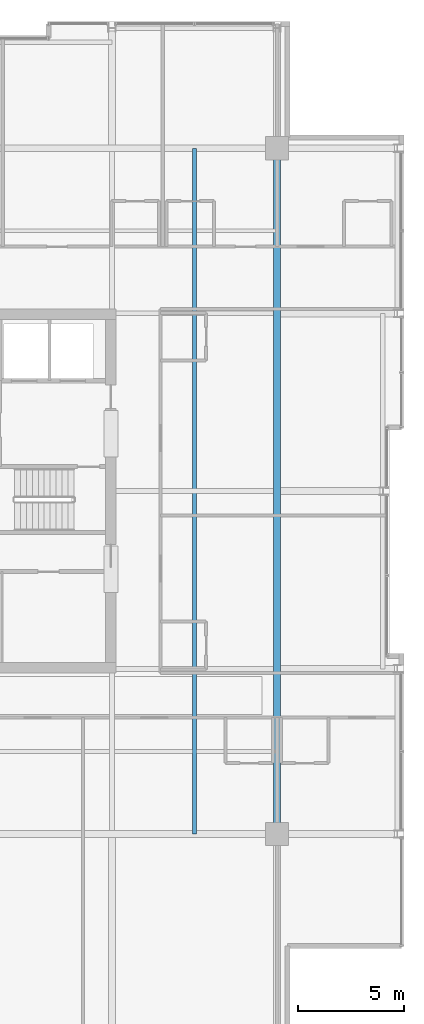
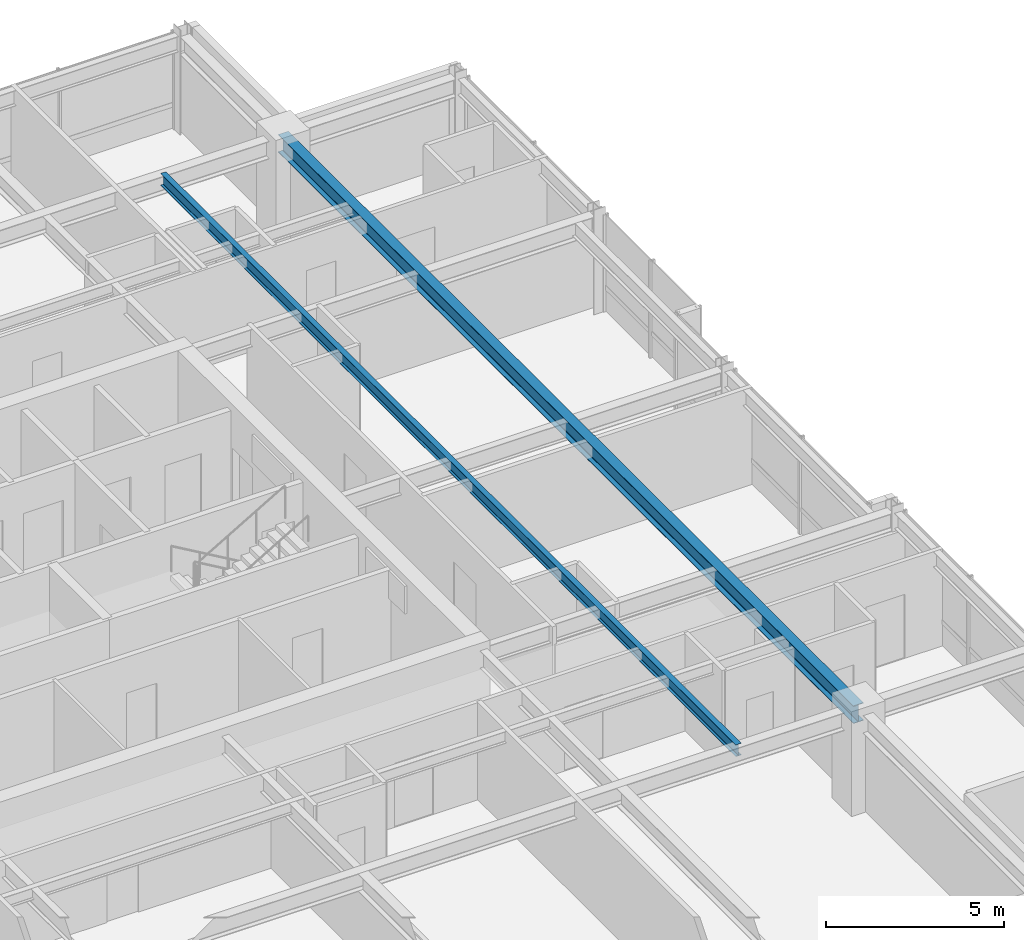
# One storey, part 15 of 31: 2 beams.
"""IFC4 building model written with IfcOpenShell, lengths in metres."""

import ifcopenshell
import ifcopenshell.guid

model = None  # the IFC model being written
_history = None  # IfcOwnerHistory: only IFC2X3 demands one
_inside = {}  # id of a spatial element -> (the spatial element, [elements in it])
_under = {}  # id of a project, library or spatial element -> (it, [spatial elements below it])
_declared = {}  # id of a project -> (the project, [libraries it declares])
_typed = {}  # id of a type object -> (the type object, [elements of that type])
_made_of = {}  # id of a material, layer set ... -> (it, [elements and type objects made of it])


def new_model(schema):
    """Start an empty IFC model of exactly this schema.

    Asked for "IFC4X3", IfcOpenShell would pick the latest addendum, in which some entities
    have other attributes; the version numbers below select the first issue.
    IFC2X3 requires an IfcOwnerHistory on every rooted entity: one is made here for all.
    """
    global model, _history
    if schema == "IFC4X3":
        model = ifcopenshell.file(schema_version=(4, 3, 0, 0))
    else:
        model = ifcopenshell.file(schema=schema)
    _inside.clear()
    _under.clear()
    _declared.clear()
    _typed.clear()
    _made_of.clear()
    _history = None
    if model.schema == "IFC2X3":
        org = make("IfcOrganization", Name="unknown")
        user = make(
            "IfcPersonAndOrganization",
            ThePerson=make("IfcPerson", FamilyName="unknown"),
            TheOrganization=org,
        )
        app = make(
            "IfcApplication",
            ApplicationDeveloper=org,
            Version="unknown",
            ApplicationFullName="unknown",
            ApplicationIdentifier="unknown",
        )
        _history = make(
            "IfcOwnerHistory",
            OwningUser=user,
            OwningApplication=app,
            ChangeAction="ADDED",
            CreationDate=0,
        )
    return model


def make(cls, **values):
    """One entity of the class cls with the attributes given. An attribute that is None is left unset."""
    return model.create_entity(
        cls, **{name: value for name, value in values.items() if value is not None}
    )


def rooted(cls, **values):
    """An entity with a GlobalId (a new one), such as an element, a storey or a relation."""
    return make(cls, GlobalId=ifcopenshell.guid.new(), OwnerHistory=_history, **values)


def si_unit(unit_type, name, prefix=None):
    """IfcSIUnit, for example si_unit("LENGTHUNIT", "METRE", prefix="MILLI")."""
    return make("IfcSIUnit", UnitType=unit_type, Prefix=prefix, Name=name)


def assignment(units):
    """IfcUnitAssignment: the units of a project."""
    return None if units is None else make("IfcUnitAssignment", Units=units)


def point(xyz):
    """IfcCartesianPoint."""
    return None if xyz is None else make("IfcCartesianPoint", Coordinates=xyz)


def direction(xyz):
    """IfcDirection."""
    return None if xyz is None else make("IfcDirection", DirectionRatios=xyz)


def frame(location, z_axis=None, x_axis=None):
    """IfcAxis2Placement3D, a coordinate frame: its origin and axes. An axis left out is left unset."""
    return make(
        "IfcAxis2Placement3D",
        Location=point(location),
        Axis=direction(z_axis),
        RefDirection=direction(x_axis),
    )


def frame_2d(location, x_axis=None):
    """IfcAxis2Placement2D, a coordinate frame in the plane: its origin and x axis."""
    return make(
        "IfcAxis2Placement2D", Location=point(location), RefDirection=direction(x_axis)
    )


def origin():
    """The frame at (0, 0, 0) with its axes left unset."""
    return frame((0.0, 0.0, 0.0))


def origin_2d():
    """The frame at (0, 0) in the plane with its x axis left unset."""
    return frame_2d((0.0, 0.0))


def place(relative_to, where):
    """IfcLocalPlacement: puts the frame where relative to a parent placement (None: the world)."""
    return make(
        "IfcLocalPlacement", PlacementRelTo=relative_to, RelativePlacement=where
    )


def context(
    kind, dimensions, precision=None, world=None, true_north=None, identifier=None
):
    """IfcGeometricRepresentationContext, for example the 3D "Model" context."""
    return make(
        "IfcGeometricRepresentationContext",
        ContextIdentifier=identifier,
        ContextType=kind,
        CoordinateSpaceDimension=dimensions,
        Precision=precision,
        WorldCoordinateSystem=world,
        TrueNorth=true_north,
    )


def subcontext(parent, identifier, kind, view, scale=None):
    """IfcGeometricRepresentationSubContext, for example "Body" below "Model"."""
    return make(
        "IfcGeometricRepresentationSubContext",
        ContextIdentifier=identifier,
        ContextType=kind,
        ParentContext=parent,
        TargetScale=scale,
        TargetView=view,
    )


def project(units=None, contexts=None):
    """IfcProject with its units and contexts."""
    return rooted(
        "IfcProject",
        Name="project",
        RepresentationContexts=contexts,
        UnitsInContext=assignment(units),
    )


def spatial(cls, under=None, at=None, **own):
    """A site, building, storey or space (cls), placed at a placement, below another one or the project."""
    s = rooted(cls, ObjectPlacement=at, **own)
    if under is not None:
        _under.setdefault(under.id(), (under, []))[1].append(s)
    return s


def profile(cls, at=None, kind="AREA", **sizes):
    """A parametric profile (cls). Its sizes go by their IFC names, for example OverallWidth=200.0."""
    return make(cls, ProfileType=kind, Position=at, **sizes)


def i_section(**sizes):
    """IfcIShapeProfileDef."""
    return profile("IfcIShapeProfileDef", **sizes)


def extrude(swept, where, along, depth):
    """IfcExtrudedAreaSolid: the profile swept, set in the frame where, extruded along a direction by depth."""
    return make(
        "IfcExtrudedAreaSolid",
        SweptArea=swept,
        Position=where,
        ExtrudedDirection=direction(along),
        Depth=depth,
    )


def shape(context_of_items, identifier, shape_type, items):
    """IfcShapeRepresentation: the items that make up one representation, for example the "Body"."""
    return make(
        "IfcShapeRepresentation",
        ContextOfItems=context_of_items,
        RepresentationIdentifier=identifier,
        RepresentationType=shape_type,
        Items=items,
    )


def material(Name=None, Category=None):
    """IfcMaterial."""
    return make("IfcMaterial", Name=Name, Category=Category)


def material_profile(
    of_material, cross_section, Name=None, Category=None, Priority=None
):
    """IfcMaterialProfile: a cross section and its material."""
    return make(
        "IfcMaterialProfile",
        Name=Name,
        Material=of_material,
        Profile=cross_section,
        Priority=Priority,
        Category=Category,
    )


def profile_set(profiles, Name=None, composite=None):
    """IfcMaterialProfileSet."""
    return make(
        "IfcMaterialProfileSet",
        Name=Name,
        MaterialProfiles=profiles,
        CompositeProfile=composite,
    )


def made_of(thing, what):
    """Note that an element or type object is made of a material, layer set ...; save() writes the relation."""
    if what is not None:
        _made_of.setdefault(what.id(), (what, []))[1].append(thing)
    return thing


def type_object(cls, material=None, **own):
    """A type object (cls), such as IfcWallType, which elements share."""
    return made_of(rooted(cls, **own), material)


def element(
    cls,
    number,
    at=None,
    inside=None,
    cuts=None,
    type_object=None,
    material=None,
    context=None,
    identifier="Body",
    shape_type=None,
    held_by="IfcProductDefinitionShape",
    body=None,
    shapes=None,
    **own,
):
    """One element of the class cls, such as IfcWall. Its Tag is "e" and its number.

    at: its placement. inside: the storey or other place that contains it. cuts: it is an
    opening in that element (IfcRelVoidsElement). A single representation is given by context,
    identifier, shape_type and body (its items); several are given by shapes. held_by: the class
    of the entity that holds the representations. save() writes the other relations.
    """
    e = rooted(cls, Tag="e%d" % number, ObjectPlacement=at, **own)
    if body is not None:
        shapes = [shape(context, identifier, shape_type, body)]
    if shapes is not None:
        e.Representation = make(held_by, Representations=shapes)
    if inside is not None:
        _inside.setdefault(inside.id(), (inside, []))[1].append(e)
    if cuts is not None:
        rooted(
            "IfcRelVoidsElement", RelatingBuildingElement=cuts, RelatedOpeningElement=e
        )
    if type_object is not None:
        _typed.setdefault(type_object.id(), (type_object, []))[1].append(e)
    return made_of(e, material)


def aggregate(whole, parts):
    """IfcRelAggregates: a whole, such as a stair, and the parts it consists of."""
    return rooted("IfcRelAggregates", RelatingObject=whole, RelatedObjects=parts)


def save(model, path):
    """Write the relations noted so far, then the file.

    IfcRelAggregates (storeys below a building ...), IfcRelContainedInSpatialStructure (elements
    in a storey), IfcRelDefinesByType, IfcRelAssociatesMaterial and IfcRelDeclares: one each for
    every whole, place, type object, material and project.
    """
    for whole, parts in _under.values():
        aggregate(whole, parts)
    for where, things in _inside.values():
        rooted(
            "IfcRelContainedInSpatialStructure",
            RelatedElements=things,
            RelatingStructure=where,
        )
    for kind, things in _typed.values():
        rooted("IfcRelDefinesByType", RelatedObjects=things, RelatingType=kind)
    for what, things in _made_of.values():
        rooted("IfcRelAssociatesMaterial", RelatedObjects=things, RelatingMaterial=what)
    for by, libraries in _declared.values():
        rooted("IfcRelDeclares", RelatingContext=by, RelatedDefinitions=libraries)
    model.write(path)


model = new_model("IFC4")

# Units and contexts
model_context = context("Model", 3, precision=1e-05, world=origin(), true_north=direction((0.0, 1.0)))
body_context = subcontext(model_context, "Body", "Model", "MODEL_VIEW")
ifc_project = project(units=[si_unit("LENGTHUNIT", "METRE"), si_unit("AREAUNIT", "SQUARE_METRE"), si_unit("VOLUMEUNIT", "CUBIC_METRE"), si_unit("PLANEANGLEUNIT", "RADIAN"), si_unit("MASSUNIT", "GRAM", prefix="KILO")], contexts=[model_context])

# Site, building, storey
site_placement = place(None, origin())
site = spatial("IfcSite", under=ifc_project, at=site_placement, CompositionType="ELEMENT")
building_placement = place(site_placement, origin())
building = spatial("IfcBuilding", under=site, at=building_placement, Name="Drelvath Grand Hotel", CompositionType="ELEMENT")
storey_placement = place(building_placement, frame((0.0, 0.0, 244.699951171875)))
storey = spatial("IfcBuildingStorey", under=building, at=storey_placement, Name="L64", CompositionType="ELEMENT", Elevation=244.699951171875)

# Beams
ifc_material = material(Name="Steel ASTM A992 Gr 50", Category="steel")
ifc_material_profile_1 = material_profile(ifc_material, i_section(OverallWidth=0.177734375, OverallDepth=0.40673828125, WebThickness=0.0078125, FlangeThickness=0.0126953125, FilletRadius=0.014892578125, at=origin_2d()), Name="W16X40")
ifc_profile_set_1 = profile_set([ifc_material_profile_1], Name="Steel ASTM A992 Gr 50")
beam_type_1 = type_object("IfcBeamType", Name="Composite Floor Joist W16X40", PredefinedType="JOIST", material=ifc_profile_set_1)
beam_1_placement = place(storey_placement, frame((12.300048828125, 10.800048828125, 3.13671875), z_axis=(0.0, 1.0, 0.0), x_axis=(-1.0, 0.0, 0.0)))
element("IfcBeam", 1, at=beam_1_placement, inside=storey, type_object=beam_type_1, Name="L64 Wing Floor Joist J4", PredefinedType="JOIST", context=body_context, shape_type="SweptSolid", body=[
    extrude(i_section(OverallWidth=0.177734375, OverallDepth=0.40673828125, WebThickness=0.0078125, FlangeThickness=0.0126953125, FilletRadius=0.014892578125, at=origin_2d()), origin(), (0.0, 0.0, 1.0), 32.39990234375),
])
ifc_material_profile_2 = material_profile(ifc_material, i_section(OverallWidth=0.323974609375, OverallDepth=0.611083984375, WebThickness=0.0126953125, FlangeThickness=0.01904296875, FilletRadius=0.02197265625, at=origin_2d()), Name="W24X104")
ifc_profile_set_2 = profile_set([ifc_material_profile_2], Name="Steel ASTM A992 Gr 50")
beam_type_2 = type_object("IfcBeamType", Name="Primary Floor Girder W24X104", PredefinedType="BEAM", material=ifc_profile_set_2)
beam_2_placement = place(storey_placement, frame((16.199951171875, 10.800048828125, 3.034423828125), z_axis=(0.0, 1.0, 0.0), x_axis=(-1.0, 0.0, 0.0)))
element("IfcBeam", 2, at=beam_2_placement, inside=storey, type_object=beam_type_2, Name="L64 Mega Ring Girder East", PredefinedType="BEAM", context=body_context, shape_type="SweptSolid", body=[
    extrude(i_section(OverallWidth=0.323974609375, OverallDepth=0.611083984375, WebThickness=0.0126953125, FlangeThickness=0.01904296875, FilletRadius=0.02197265625, at=origin_2d()), origin(), (0.0, 0.0, 1.0), 32.39990234375),
])

save(model, "model.ifc")
